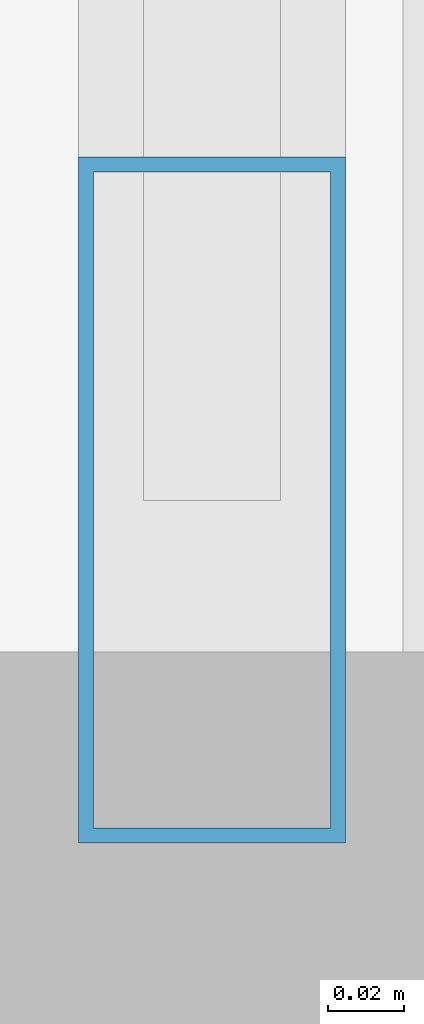
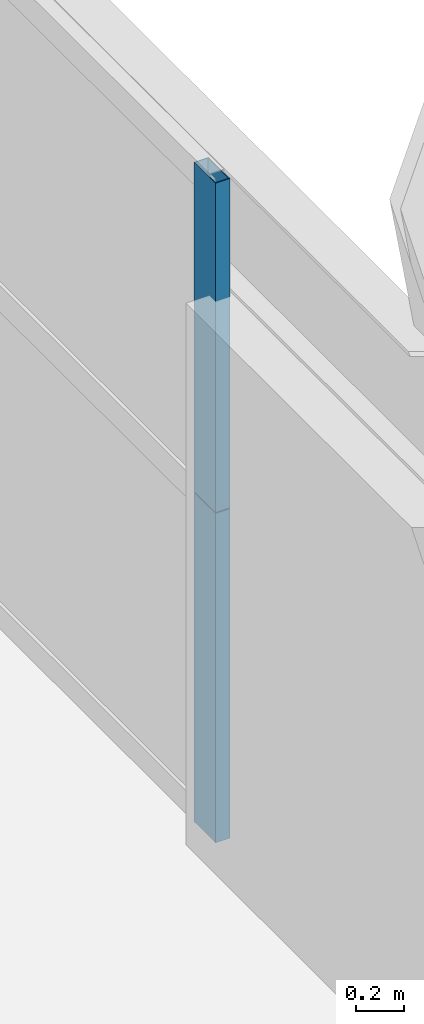
# One storey, part 17 of 42: 2 members, 1 element without a shape of its own.
"""IFC4 building model written with IfcOpenShell, lengths in metres."""

import ifcopenshell
import ifcopenshell.guid

model = None  # the IFC model being written
_history = None  # IfcOwnerHistory: only IFC2X3 demands one
_inside = {}  # id of a spatial element -> (the spatial element, [elements in it])
_under = {}  # id of a project, library or spatial element -> (it, [spatial elements below it])
_declared = {}  # id of a project -> (the project, [libraries it declares])
_typed = {}  # id of a type object -> (the type object, [elements of that type])
_made_of = {}  # id of a material, layer set ... -> (it, [elements and type objects made of it])


def new_model(schema):
    """Start an empty IFC model of exactly this schema.

    Asked for "IFC4X3", IfcOpenShell would pick the latest addendum, in which some entities
    have other attributes; the version numbers below select the first issue.
    IFC2X3 requires an IfcOwnerHistory on every rooted entity: one is made here for all.
    """
    global model, _history
    if schema == "IFC4X3":
        model = ifcopenshell.file(schema_version=(4, 3, 0, 0))
    else:
        model = ifcopenshell.file(schema=schema)
    _inside.clear()
    _under.clear()
    _declared.clear()
    _typed.clear()
    _made_of.clear()
    _history = None
    if model.schema == "IFC2X3":
        org = make("IfcOrganization", Name="unknown")
        user = make(
            "IfcPersonAndOrganization",
            ThePerson=make("IfcPerson", FamilyName="unknown"),
            TheOrganization=org,
        )
        app = make(
            "IfcApplication",
            ApplicationDeveloper=org,
            Version="unknown",
            ApplicationFullName="unknown",
            ApplicationIdentifier="unknown",
        )
        _history = make(
            "IfcOwnerHistory",
            OwningUser=user,
            OwningApplication=app,
            ChangeAction="ADDED",
            CreationDate=0,
        )
    return model


def make(cls, **values):
    """One entity of the class cls with the attributes given. An attribute that is None is left unset."""
    return model.create_entity(
        cls, **{name: value for name, value in values.items() if value is not None}
    )


def rooted(cls, **values):
    """An entity with a GlobalId (a new one), such as an element, a storey or a relation."""
    return make(cls, GlobalId=ifcopenshell.guid.new(), OwnerHistory=_history, **values)


def si_unit(unit_type, name, prefix=None):
    """IfcSIUnit, for example si_unit("LENGTHUNIT", "METRE", prefix="MILLI")."""
    return make("IfcSIUnit", UnitType=unit_type, Prefix=prefix, Name=name)


def assignment(units):
    """IfcUnitAssignment: the units of a project."""
    return None if units is None else make("IfcUnitAssignment", Units=units)


def point(xyz):
    """IfcCartesianPoint."""
    return None if xyz is None else make("IfcCartesianPoint", Coordinates=xyz)


def direction(xyz):
    """IfcDirection."""
    return None if xyz is None else make("IfcDirection", DirectionRatios=xyz)


def frame(location, z_axis=None, x_axis=None):
    """IfcAxis2Placement3D, a coordinate frame: its origin and axes. An axis left out is left unset."""
    return make(
        "IfcAxis2Placement3D",
        Location=point(location),
        Axis=direction(z_axis),
        RefDirection=direction(x_axis),
    )


def frame_2d(location, x_axis=None):
    """IfcAxis2Placement2D, a coordinate frame in the plane: its origin and x axis."""
    return make(
        "IfcAxis2Placement2D", Location=point(location), RefDirection=direction(x_axis)
    )


def origin():
    """The frame at (0, 0, 0) with its axes left unset."""
    return frame((0.0, 0.0, 0.0))


def origin_2d():
    """The frame at (0, 0) in the plane with its x axis left unset."""
    return frame_2d((0.0, 0.0))


def place(relative_to, where):
    """IfcLocalPlacement: puts the frame where relative to a parent placement (None: the world)."""
    return make(
        "IfcLocalPlacement", PlacementRelTo=relative_to, RelativePlacement=where
    )


def context(
    kind, dimensions, precision=None, world=None, true_north=None, identifier=None
):
    """IfcGeometricRepresentationContext, for example the 3D "Model" context."""
    return make(
        "IfcGeometricRepresentationContext",
        ContextIdentifier=identifier,
        ContextType=kind,
        CoordinateSpaceDimension=dimensions,
        Precision=precision,
        WorldCoordinateSystem=world,
        TrueNorth=true_north,
    )


def subcontext(parent, identifier, kind, view, scale=None):
    """IfcGeometricRepresentationSubContext, for example "Body" below "Model"."""
    return make(
        "IfcGeometricRepresentationSubContext",
        ContextIdentifier=identifier,
        ContextType=kind,
        ParentContext=parent,
        TargetScale=scale,
        TargetView=view,
    )


def project(units=None, contexts=None):
    """IfcProject with its units and contexts."""
    return rooted(
        "IfcProject",
        Name="project",
        RepresentationContexts=contexts,
        UnitsInContext=assignment(units),
    )


def spatial(cls, under=None, at=None, **own):
    """A site, building, storey or space (cls), placed at a placement, below another one or the project."""
    s = rooted(cls, ObjectPlacement=at, **own)
    if under is not None:
        _under.setdefault(under.id(), (under, []))[1].append(s)
    return s


def profile(cls, at=None, kind="AREA", **sizes):
    """A parametric profile (cls). Its sizes go by their IFC names, for example OverallWidth=200.0."""
    return make(cls, ProfileType=kind, Position=at, **sizes)


def hollow_rectangle(**sizes):
    """IfcRectangleHollowProfileDef."""
    return profile("IfcRectangleHollowProfileDef", **sizes)


def extrude(swept, where, along, depth):
    """IfcExtrudedAreaSolid: the profile swept, set in the frame where, extruded along a direction by depth."""
    return make(
        "IfcExtrudedAreaSolid",
        SweptArea=swept,
        Position=where,
        ExtrudedDirection=direction(along),
        Depth=depth,
    )


def shape(context_of_items, identifier, shape_type, items):
    """IfcShapeRepresentation: the items that make up one representation, for example the "Body"."""
    return make(
        "IfcShapeRepresentation",
        ContextOfItems=context_of_items,
        RepresentationIdentifier=identifier,
        RepresentationType=shape_type,
        Items=items,
    )


def source(mapping_origin, context_of_items, identifier, shape_type, items):
    """IfcRepresentationMap: a shape defined once, which mapped items show again and again."""
    return make(
        "IfcRepresentationMap",
        MappingOrigin=mapping_origin,
        MappedRepresentation=shape(context_of_items, identifier, shape_type, items),
    )


def transform(
    local_origin,
    x_axis=None,
    y_axis=None,
    z_axis=None,
    scale=None,
    scale2=None,
    scale3=None,
    uniform=True,
):
    """IfcCartesianTransformationOperator3D, or its non-uniform kind. x_axis, y_axis, z_axis: its Axis1, 2, 3."""
    if uniform:
        return make(
            "IfcCartesianTransformationOperator3D",
            Axis1=direction(x_axis),
            Axis2=direction(y_axis),
            LocalOrigin=point(local_origin),
            Scale=scale,
            Axis3=direction(z_axis),
        )
    return make(
        "IfcCartesianTransformationOperator3DnonUniform",
        Axis1=direction(x_axis),
        Axis2=direction(y_axis),
        LocalOrigin=point(local_origin),
        Scale=scale,
        Axis3=direction(z_axis),
        Scale2=scale2,
        Scale3=scale3,
    )


def mapped(mapping_source, mapping_target):
    """IfcMappedItem: shows the shape of a source again, moved by a transform."""
    return make(
        "IfcMappedItem", MappingSource=mapping_source, MappingTarget=mapping_target
    )


def material(Name=None, Category=None):
    """IfcMaterial."""
    return make("IfcMaterial", Name=Name, Category=Category)


def layer(
    of_material, thickness, ventilated=None, Name=None, Category=None, Priority=None
):
    """IfcMaterialLayer: one layer of a wall or slab, of a material (None: an air gap)."""
    return make(
        "IfcMaterialLayer",
        Material=of_material,
        LayerThickness=thickness,
        IsVentilated=ventilated,
        Name=Name,
        Category=Category,
        Priority=Priority,
    )


def layer_set(layers, Name=None):
    """IfcMaterialLayerSet."""
    return make("IfcMaterialLayerSet", MaterialLayers=layers, LayerSetName=Name)


def material_profile(
    of_material, cross_section, Name=None, Category=None, Priority=None
):
    """IfcMaterialProfile: a cross section and its material."""
    return make(
        "IfcMaterialProfile",
        Name=Name,
        Material=of_material,
        Profile=cross_section,
        Priority=Priority,
        Category=Category,
    )


def profile_set(profiles, Name=None, composite=None):
    """IfcMaterialProfileSet."""
    return make(
        "IfcMaterialProfileSet",
        Name=Name,
        MaterialProfiles=profiles,
        CompositeProfile=composite,
    )


def made_of(thing, what):
    """Note that an element or type object is made of a material, layer set ...; save() writes the relation."""
    if what is not None:
        _made_of.setdefault(what.id(), (what, []))[1].append(thing)
    return thing


def type_object(cls, material=None, **own):
    """A type object (cls), such as IfcWallType, which elements share."""
    return made_of(rooted(cls, **own), material)


def element(
    cls,
    number,
    at=None,
    inside=None,
    cuts=None,
    type_object=None,
    material=None,
    context=None,
    identifier="Body",
    shape_type=None,
    held_by="IfcProductDefinitionShape",
    body=None,
    shapes=None,
    **own,
):
    """One element of the class cls, such as IfcWall. Its Tag is "e" and its number.

    at: its placement. inside: the storey or other place that contains it. cuts: it is an
    opening in that element (IfcRelVoidsElement). A single representation is given by context,
    identifier, shape_type and body (its items); several are given by shapes. held_by: the class
    of the entity that holds the representations. save() writes the other relations.
    """
    e = rooted(cls, Tag="e%d" % number, ObjectPlacement=at, **own)
    if body is not None:
        shapes = [shape(context, identifier, shape_type, body)]
    if shapes is not None:
        e.Representation = make(held_by, Representations=shapes)
    if inside is not None:
        _inside.setdefault(inside.id(), (inside, []))[1].append(e)
    if cuts is not None:
        rooted(
            "IfcRelVoidsElement", RelatingBuildingElement=cuts, RelatedOpeningElement=e
        )
    if type_object is not None:
        _typed.setdefault(type_object.id(), (type_object, []))[1].append(e)
    return made_of(e, material)


def aggregate(whole, parts):
    """IfcRelAggregates: a whole, such as a stair, and the parts it consists of."""
    return rooted("IfcRelAggregates", RelatingObject=whole, RelatedObjects=parts)


def save(model, path):
    """Write the relations noted so far, then the file.

    IfcRelAggregates (storeys below a building ...), IfcRelContainedInSpatialStructure (elements
    in a storey), IfcRelDefinesByType, IfcRelAssociatesMaterial and IfcRelDeclares: one each for
    every whole, place, type object, material and project.
    """
    for whole, parts in _under.values():
        aggregate(whole, parts)
    for where, things in _inside.values():
        rooted(
            "IfcRelContainedInSpatialStructure",
            RelatedElements=things,
            RelatingStructure=where,
        )
    for kind, things in _typed.values():
        rooted("IfcRelDefinesByType", RelatedObjects=things, RelatingType=kind)
    for what, things in _made_of.values():
        rooted("IfcRelAssociatesMaterial", RelatedObjects=things, RelatingMaterial=what)
    for by, libraries in _declared.values():
        rooted("IfcRelDeclares", RelatingContext=by, RelatedDefinitions=libraries)
    model.write(path)


model = new_model("IFC4")

# Units and contexts
model_context = context("Model", 3, precision=1e-05, world=origin(), true_north=direction((0.0, 1.0)))
body_context = subcontext(model_context, "Body", "Model", "MODEL_VIEW")
ifc_project = project(units=[si_unit("LENGTHUNIT", "METRE"), si_unit("AREAUNIT", "SQUARE_METRE"), si_unit("VOLUMEUNIT", "CUBIC_METRE"), si_unit("PLANEANGLEUNIT", "RADIAN"), si_unit("MASSUNIT", "GRAM", prefix="KILO"), si_unit("THERMODYNAMICTEMPERATUREUNIT", "KELVIN"), si_unit("POWERUNIT", "WATT")], contexts=[model_context])

# Site, building, storey
site_placement = place(None, origin())
site = spatial("IfcSite", under=ifc_project, at=site_placement, CompositionType="ELEMENT")
building_placement = place(site_placement, origin())
building = spatial("IfcBuilding", under=site, at=building_placement, Name="Yuzanri Waterfront Tower", CompositionType="ELEMENT")
storey_placement = place(building_placement, frame((0.0, 0.0, 145.199951171875)))
storey = spatial("IfcBuildingStorey", under=building, at=storey_placement, Name="L38", CompositionType="ELEMENT", Elevation=145.199951171875)

# Curtain wall, members
ifc_material_1 = material(Name="Anodized Architectural Bronze", Category="metal")
ifc_layer = layer(ifc_material_1, 0.159912109375)
ifc_layer_set = layer_set([ifc_layer], Name="Anodized Architectural Bronze")
curtain_wall_type = type_object("IfcCurtainWallType", Name="Anodized Bronze Hotel Upper-Tier Solar-Control Unitized Curtain Wall 7800", PredefinedType="NOTDEFINED", material=ifc_layer_set)
curtain_wall_placement = place(storey_placement, origin())
curtain_wall = element("IfcCurtainWall", 1, at=curtain_wall_placement, inside=storey, type_object=curtain_wall_type, Name="L38 Curtain Wall CW-L38-EL", PredefinedType="NOTDEFINED")
ifc_material_2 = material(Name="Anodized Architectural Bronze", Category="metal")
ifc_material_profile = material_profile(ifc_material_2, hollow_rectangle(XDim=0.070068359375, YDim=0.179931640625, WallThickness=0.00390625, at=origin_2d()), Name="CWM 70x180")
ifc_profile_set = profile_set([ifc_material_profile], Name="Anodized Architectural Bronze")
member_type = type_object("IfcMemberType", Name="Anodized Bronze Standard Curtain-Wall Mullion 70x180", PredefinedType="MULLION", material=ifc_profile_set)
shared_shape = source(origin(), body_context, "Body", "SweptSolid", [
    extrude(hollow_rectangle(XDim=0.070068359375, YDim=0.179931640625, WallThickness=0.00390625, at=origin_2d()), origin(), (0.0, 0.0, 1.0), 1.68798828125),
])
member_1_placement = place(storey_placement, frame((60.449951171875, 9.590087890625, 0.0), z_axis=(0.0, 0.0, 1.0), x_axis=(1.0, 0.0, 0.0)))
member_1 = element("IfcMember", 2, at=member_1_placement, type_object=member_type, Name="CW-L38-EL Lower Mullion 00", PredefinedType="MULLION", context=body_context, shape_type="MappedRepresentation", body=[
    mapped(shared_shape, transform((0.0, 0.0, 0.0), scale=1.0)),
])
member_2_placement = place(storey_placement, frame((60.449951171875, 9.590087890625, 1.692138671875), z_axis=(0.0, 0.0, 1.0), x_axis=(1.0, 0.0, 0.0)))
member_2 = element("IfcMember", 3, at=member_2_placement, type_object=member_type, Name="CW-L38-EL Upper Mullion 00", PredefinedType="MULLION", context=body_context, shape_type="MappedRepresentation", body=[
    mapped(shared_shape, transform((0.0, 0.0, 0.0), scale=1.0)),
])
aggregate(curtain_wall, [member_1, member_2])

save(model, "model.ifc")
